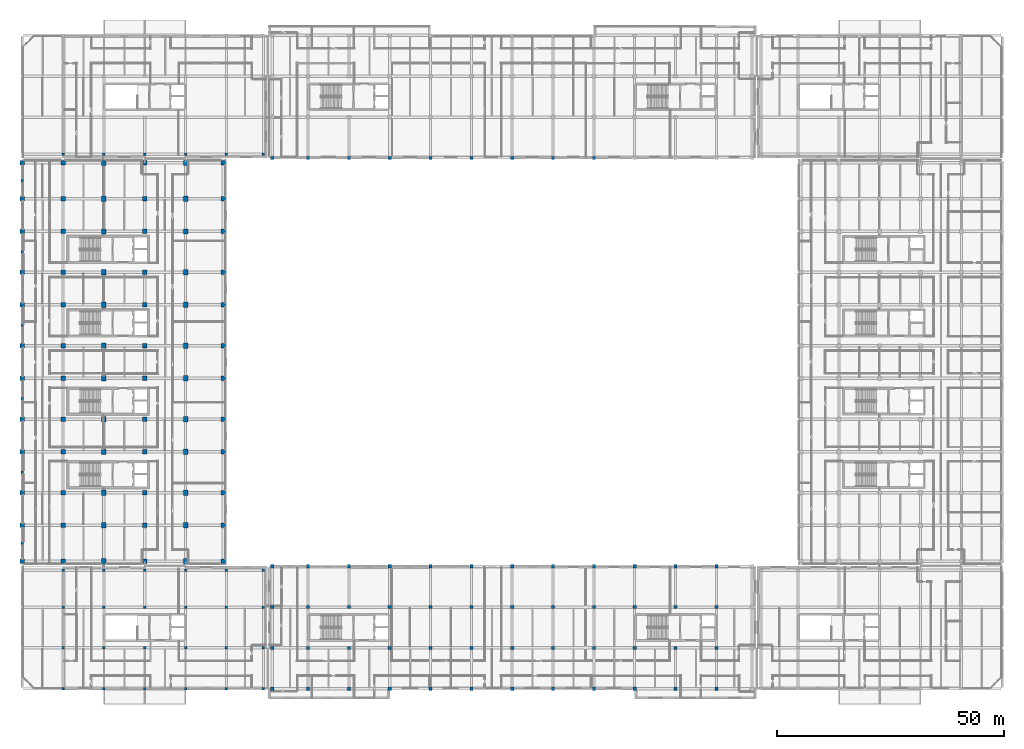
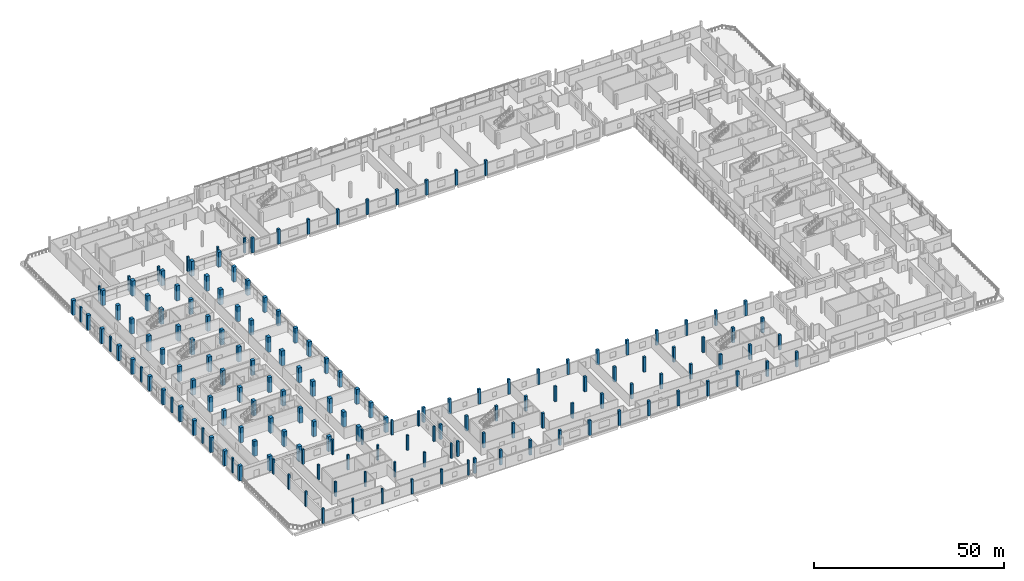
# One storey, part 1 of 111: 165 columns.
"""IFC4 building model written with IfcOpenShell, lengths in metres."""

import ifcopenshell
import ifcopenshell.guid

model = None  # the IFC model being written
_history = None  # IfcOwnerHistory: only IFC2X3 demands one
_inside = {}  # id of a spatial element -> (the spatial element, [elements in it])
_under = {}  # id of a project, library or spatial element -> (it, [spatial elements below it])
_declared = {}  # id of a project -> (the project, [libraries it declares])
_typed = {}  # id of a type object -> (the type object, [elements of that type])
_made_of = {}  # id of a material, layer set ... -> (it, [elements and type objects made of it])


def new_model(schema):
    """Start an empty IFC model of exactly this schema.

    Asked for "IFC4X3", IfcOpenShell would pick the latest addendum, in which some entities
    have other attributes; the version numbers below select the first issue.
    IFC2X3 requires an IfcOwnerHistory on every rooted entity: one is made here for all.
    """
    global model, _history
    if schema == "IFC4X3":
        model = ifcopenshell.file(schema_version=(4, 3, 0, 0))
    else:
        model = ifcopenshell.file(schema=schema)
    _inside.clear()
    _under.clear()
    _declared.clear()
    _typed.clear()
    _made_of.clear()
    _history = None
    if model.schema == "IFC2X3":
        org = make("IfcOrganization", Name="unknown")
        user = make(
            "IfcPersonAndOrganization",
            ThePerson=make("IfcPerson", FamilyName="unknown"),
            TheOrganization=org,
        )
        app = make(
            "IfcApplication",
            ApplicationDeveloper=org,
            Version="unknown",
            ApplicationFullName="unknown",
            ApplicationIdentifier="unknown",
        )
        _history = make(
            "IfcOwnerHistory",
            OwningUser=user,
            OwningApplication=app,
            ChangeAction="ADDED",
            CreationDate=0,
        )
    return model


def make(cls, **values):
    """One entity of the class cls with the attributes given. An attribute that is None is left unset."""
    return model.create_entity(
        cls, **{name: value for name, value in values.items() if value is not None}
    )


def rooted(cls, **values):
    """An entity with a GlobalId (a new one), such as an element, a storey or a relation."""
    return make(cls, GlobalId=ifcopenshell.guid.new(), OwnerHistory=_history, **values)


def si_unit(unit_type, name, prefix=None):
    """IfcSIUnit, for example si_unit("LENGTHUNIT", "METRE", prefix="MILLI")."""
    return make("IfcSIUnit", UnitType=unit_type, Prefix=prefix, Name=name)


def assignment(units):
    """IfcUnitAssignment: the units of a project."""
    return None if units is None else make("IfcUnitAssignment", Units=units)


def point(xyz):
    """IfcCartesianPoint."""
    return None if xyz is None else make("IfcCartesianPoint", Coordinates=xyz)


def direction(xyz):
    """IfcDirection."""
    return None if xyz is None else make("IfcDirection", DirectionRatios=xyz)


def frame(location, z_axis=None, x_axis=None):
    """IfcAxis2Placement3D, a coordinate frame: its origin and axes. An axis left out is left unset."""
    return make(
        "IfcAxis2Placement3D",
        Location=point(location),
        Axis=direction(z_axis),
        RefDirection=direction(x_axis),
    )


def frame_2d(location, x_axis=None):
    """IfcAxis2Placement2D, a coordinate frame in the plane: its origin and x axis."""
    return make(
        "IfcAxis2Placement2D", Location=point(location), RefDirection=direction(x_axis)
    )


def origin():
    """The frame at (0, 0, 0) with its axes left unset."""
    return frame((0.0, 0.0, 0.0))


def origin_2d():
    """The frame at (0, 0) in the plane with its x axis left unset."""
    return frame_2d((0.0, 0.0))


def place(relative_to, where):
    """IfcLocalPlacement: puts the frame where relative to a parent placement (None: the world)."""
    return make(
        "IfcLocalPlacement", PlacementRelTo=relative_to, RelativePlacement=where
    )


def context(
    kind, dimensions, precision=None, world=None, true_north=None, identifier=None
):
    """IfcGeometricRepresentationContext, for example the 3D "Model" context."""
    return make(
        "IfcGeometricRepresentationContext",
        ContextIdentifier=identifier,
        ContextType=kind,
        CoordinateSpaceDimension=dimensions,
        Precision=precision,
        WorldCoordinateSystem=world,
        TrueNorth=true_north,
    )


def subcontext(parent, identifier, kind, view, scale=None):
    """IfcGeometricRepresentationSubContext, for example "Body" below "Model"."""
    return make(
        "IfcGeometricRepresentationSubContext",
        ContextIdentifier=identifier,
        ContextType=kind,
        ParentContext=parent,
        TargetScale=scale,
        TargetView=view,
    )


def project(units=None, contexts=None):
    """IfcProject with its units and contexts."""
    return rooted(
        "IfcProject",
        Name="project",
        RepresentationContexts=contexts,
        UnitsInContext=assignment(units),
    )


def spatial(cls, under=None, at=None, **own):
    """A site, building, storey or space (cls), placed at a placement, below another one or the project."""
    s = rooted(cls, ObjectPlacement=at, **own)
    if under is not None:
        _under.setdefault(under.id(), (under, []))[1].append(s)
    return s


def profile(cls, at=None, kind="AREA", **sizes):
    """A parametric profile (cls). Its sizes go by their IFC names, for example OverallWidth=200.0."""
    return make(cls, ProfileType=kind, Position=at, **sizes)


def rectangle(**sizes):
    """IfcRectangleProfileDef."""
    return profile("IfcRectangleProfileDef", **sizes)


def extrude(swept, where, along, depth):
    """IfcExtrudedAreaSolid: the profile swept, set in the frame where, extruded along a direction by depth."""
    return make(
        "IfcExtrudedAreaSolid",
        SweptArea=swept,
        Position=where,
        ExtrudedDirection=direction(along),
        Depth=depth,
    )


def shape(context_of_items, identifier, shape_type, items):
    """IfcShapeRepresentation: the items that make up one representation, for example the "Body"."""
    return make(
        "IfcShapeRepresentation",
        ContextOfItems=context_of_items,
        RepresentationIdentifier=identifier,
        RepresentationType=shape_type,
        Items=items,
    )


def material(Name=None, Category=None):
    """IfcMaterial."""
    return make("IfcMaterial", Name=Name, Category=Category)


def material_profile(
    of_material, cross_section, Name=None, Category=None, Priority=None
):
    """IfcMaterialProfile: a cross section and its material."""
    return make(
        "IfcMaterialProfile",
        Name=Name,
        Material=of_material,
        Profile=cross_section,
        Priority=Priority,
        Category=Category,
    )


def profile_set(profiles, Name=None, composite=None):
    """IfcMaterialProfileSet."""
    return make(
        "IfcMaterialProfileSet",
        Name=Name,
        MaterialProfiles=profiles,
        CompositeProfile=composite,
    )


def made_of(thing, what):
    """Note that an element or type object is made of a material, layer set ...; save() writes the relation."""
    if what is not None:
        _made_of.setdefault(what.id(), (what, []))[1].append(thing)
    return thing


def type_object(cls, material=None, **own):
    """A type object (cls), such as IfcWallType, which elements share."""
    return made_of(rooted(cls, **own), material)


def element(
    cls,
    number,
    at=None,
    inside=None,
    cuts=None,
    type_object=None,
    material=None,
    context=None,
    identifier="Body",
    shape_type=None,
    held_by="IfcProductDefinitionShape",
    body=None,
    shapes=None,
    **own,
):
    """One element of the class cls, such as IfcWall. Its Tag is "e" and its number.

    at: its placement. inside: the storey or other place that contains it. cuts: it is an
    opening in that element (IfcRelVoidsElement). A single representation is given by context,
    identifier, shape_type and body (its items); several are given by shapes. held_by: the class
    of the entity that holds the representations. save() writes the other relations.
    """
    e = rooted(cls, Tag="e%d" % number, ObjectPlacement=at, **own)
    if body is not None:
        shapes = [shape(context, identifier, shape_type, body)]
    if shapes is not None:
        e.Representation = make(held_by, Representations=shapes)
    if inside is not None:
        _inside.setdefault(inside.id(), (inside, []))[1].append(e)
    if cuts is not None:
        rooted(
            "IfcRelVoidsElement", RelatingBuildingElement=cuts, RelatedOpeningElement=e
        )
    if type_object is not None:
        _typed.setdefault(type_object.id(), (type_object, []))[1].append(e)
    return made_of(e, material)


def aggregate(whole, parts):
    """IfcRelAggregates: a whole, such as a stair, and the parts it consists of."""
    return rooted("IfcRelAggregates", RelatingObject=whole, RelatedObjects=parts)


def save(model, path):
    """Write the relations noted so far, then the file.

    IfcRelAggregates (storeys below a building ...), IfcRelContainedInSpatialStructure (elements
    in a storey), IfcRelDefinesByType, IfcRelAssociatesMaterial and IfcRelDeclares: one each for
    every whole, place, type object, material and project.
    """
    for whole, parts in _under.values():
        aggregate(whole, parts)
    for where, things in _inside.values():
        rooted(
            "IfcRelContainedInSpatialStructure",
            RelatedElements=things,
            RelatingStructure=where,
        )
    for kind, things in _typed.values():
        rooted("IfcRelDefinesByType", RelatedObjects=things, RelatingType=kind)
    for what, things in _made_of.values():
        rooted("IfcRelAssociatesMaterial", RelatedObjects=things, RelatingMaterial=what)
    for by, libraries in _declared.values():
        rooted("IfcRelDeclares", RelatingContext=by, RelatedDefinitions=libraries)
    model.write(path)


model = new_model("IFC4")

# Units and contexts
model_context = context("Model", 3, precision=1e-05, world=origin(), true_north=direction((0.0, 1.0)))
body_context = subcontext(model_context, "Body", "Model", "MODEL_VIEW")
ifc_project = project(units=[si_unit("LENGTHUNIT", "METRE"), si_unit("AREAUNIT", "SQUARE_METRE"), si_unit("VOLUMEUNIT", "CUBIC_METRE"), si_unit("PLANEANGLEUNIT", "RADIAN"), si_unit("MASSUNIT", "GRAM", prefix="KILO"), si_unit("THERMODYNAMICTEMPERATUREUNIT", "KELVIN"), si_unit("POWERUNIT", "WATT")], contexts=[model_context])

# Site, building, storey
site_placement = place(None, origin())
site = spatial("IfcSite", under=ifc_project, at=site_placement, CompositionType="ELEMENT")
building_placement = place(site_placement, origin())
building = spatial("IfcBuilding", under=site, at=building_placement, Name="Sindhuravela Promenade Stadium", CompositionType="ELEMENT")
storey_placement = place(building_placement, frame((0.0, 0.0, 9.60009765625)))
storey = spatial("IfcBuildingStorey", under=building, at=storey_placement, Name="L02", CompositionType="ELEMENT", Elevation=9.60009765625)

# Columns
ifc_material_1 = material(Name="Concrete M50", Category="concrete")
ifc_material_profile_1 = material_profile(ifc_material_1, rectangle(XDim=1.0, YDim=1.0, at=origin_2d()), Name="RC 1000x1000")
ifc_profile_set_1 = profile_set([ifc_material_profile_1], Name="Concrete M50")
column_type_1 = type_object("IfcColumnType", Name="RC-CL-1000x1000", PredefinedType="COLUMN", material=ifc_profile_set_1)
for number, where, z_axis, x_axis, name in (
    (1, (0.0, 37.10009765625, 0.0), (0.0, 0.0, 1.0), (1.0, 0.0, 0.0), "Column C06 WEST L02"),
    (2, (0.0, 45.0, 0.0), (0.0, 0.0, 1.0), (1.0, 0.0, 0.0), "Column C06 WEST L02"),
    (3, (0.0, 52.199951171875, 0.0), (0.0, 0.0, 1.0), (1.0, 0.0, 0.0), "Column C06 WEST L02"),
    (4, (0.0, 61.199951171875, 0.0), (0.0, 0.0, 1.0), (1.0, 0.0, 0.0), "Column C06 WEST L02"),
    (5, (0.0, 68.39990234375, 0.0), (0.0, 0.0, 1.0), (1.0, 0.0, 0.0), "Column C06 WEST L02"),
    (6, (0.0, 77.39990234375, 0.0), (0.0, 0.0, 1.0), (1.0, 0.0, 0.0), "Column C06 WEST L02"),
    (7, (0.0, 84.60009765625, 0.0), (0.0, 0.0, 1.0), (1.0, 0.0, 0.0), "Column C06 WEST L02"),
    (8, (0.0, 93.60009765625, 0.0), (0.0, 0.0, 1.0), (1.0, 0.0, 0.0), "Column C06 WEST L02"),
    (9, (0.0, 100.800048828125, 0.0), (0.0, 0.0, 1.0), (1.0, 0.0, 0.0), "Column C06 WEST L02"),
    (10, (0.0, 109.800048828125, 0.0), (0.0, 0.0, 1.0), (1.0, 0.0, 0.0), "Column C06 WEST L02"),
    (11, (0.0, 117.0, 0.0), (0.0, 0.0, 1.0), (1.0, 0.0, 0.0), "Column C06 WEST L02"),
    (12, (0.0, 124.89990234375, 0.0), (0.0, 0.0, 1.0), (1.0, 0.0, 0.0), "Column C06 WEST L02"),
    (13, (9.0, 37.10009765625, 0.0), (0.0, 0.0, 1.0), (1.0, 0.0, 0.0), "Column C06 WEST L02"),
    (14, (9.0, 45.0, 0.0), (0.0, 0.0, 1.0), (1.0, 0.0, 0.0), "Column C06 WEST L02"),
    (15, (9.0, 52.199951171875, 0.0), (0.0, 0.0, 1.0), (1.0, 0.0, 0.0), "Column C06 WEST L02"),
    (16, (9.0, 61.199951171875, 0.0), (0.0, 0.0, 1.0), (1.0, 0.0, 0.0), "Column C06 WEST L02"),
    (17, (9.0, 68.39990234375, 0.0), (0.0, 0.0, 1.0), (1.0, 0.0, 0.0), "Column C06 WEST L02"),
    (18, (9.0, 77.39990234375, 0.0), (0.0, 0.0, 1.0), (1.0, 0.0, 0.0), "Column C06 WEST L02"),
    (19, (9.0, 84.60009765625, 0.0), (0.0, 0.0, 1.0), (1.0, 0.0, 0.0), "Column C06 WEST L02"),
    (20, (9.0, 93.60009765625, 0.0), (0.0, 0.0, 1.0), (1.0, 0.0, 0.0), "Column C06 WEST L02"),
    (21, (9.0, 100.800048828125, 0.0), (0.0, 0.0, 1.0), (1.0, 0.0, 0.0), "Column C06 WEST L02"),
    (22, (9.0, 109.800048828125, 0.0), (0.0, 0.0, 1.0), (1.0, 0.0, 0.0), "Column C06 WEST L02"),
    (23, (9.0, 117.0, 0.0), (0.0, 0.0, 1.0), (1.0, 0.0, 0.0), "Column C06 WEST L02"),
    (24, (9.0, 124.89990234375, 0.0), (0.0, 0.0, 1.0), (1.0, 0.0, 0.0), "Column C06 WEST L02"),
    (25, (27.0, 37.10009765625, 0.0), (0.0, 0.0, 1.0), (1.0, 0.0, 0.0), "Column C06 WEST L02"),
    (26, (27.0, 45.0, 0.0), (0.0, 0.0, 1.0), (1.0, 0.0, 0.0), "Column C06 WEST L02"),
    (27, (27.0, 52.199951171875, 0.0), (0.0, 0.0, 1.0), (1.0, 0.0, 0.0), "Column C06 WEST L02"),
    (28, (27.0, 61.199951171875, 0.0), (0.0, 0.0, 1.0), (1.0, 0.0, 0.0), "Column C06 WEST L02"),
    (29, (27.0, 68.39990234375, 0.0), (0.0, 0.0, 1.0), (1.0, 0.0, 0.0), "Column C06 WEST L02"),
    (30, (27.0, 77.39990234375, 0.0), (0.0, 0.0, 1.0), (1.0, 0.0, 0.0), "Column C06 WEST L02"),
    (31, (27.0, 84.60009765625, 0.0), (0.0, 0.0, 1.0), (1.0, 0.0, 0.0), "Column C06 WEST L02"),
    (32, (27.0, 93.60009765625, 0.0), (0.0, 0.0, 1.0), (1.0, 0.0, 0.0), "Column C06 WEST L02"),
    (33, (27.0, 100.800048828125, 0.0), (0.0, 0.0, 1.0), (1.0, 0.0, 0.0), "Column C06 WEST L02"),
    (34, (27.0, 109.800048828125, 0.0), (0.0, 0.0, 1.0), (1.0, 0.0, 0.0), "Column C06 WEST L02"),
    (35, (27.0, 117.0, 0.0), (0.0, 0.0, 1.0), (1.0, 0.0, 0.0), "Column C06 WEST L02"),
    (36, (27.0, 124.89990234375, 0.0), (0.0, 0.0, 1.0), (1.0, 0.0, 0.0), "Column C06 WEST L02"),
    (37, (44.300048828125, 37.10009765625, 0.0), (0.0, 0.0, 1.0), (1.0, 0.0, 0.0), "Column C06 WEST L02"),
    (38, (44.300048828125, 45.0, 0.0), (0.0, 0.0, 1.0), (1.0, 0.0, 0.0), "Column C06 WEST L02"),
    (39, (44.300048828125, 52.199951171875, 0.0), (0.0, 0.0, 1.0), (1.0, 0.0, 0.0), "Column C06 WEST L02"),
    (40, (44.300048828125, 61.199951171875, 0.0), (0.0, 0.0, 1.0), (1.0, 0.0, 0.0), "Column C06 WEST L02"),
    (41, (44.300048828125, 68.39990234375, 0.0), (0.0, 0.0, 1.0), (1.0, 0.0, 0.0), "Column C06 WEST L02"),
    (42, (44.300048828125, 77.39990234375, 0.0), (0.0, 0.0, 1.0), (1.0, 0.0, 0.0), "Column C06 WEST L02"),
    (43, (44.300048828125, 84.60009765625, 0.0), (0.0, 0.0, 1.0), (1.0, 0.0, 0.0), "Column C06 WEST L02"),
    (44, (44.300048828125, 93.60009765625, 0.0), (0.0, 0.0, 1.0), (1.0, 0.0, 0.0), "Column C06 WEST L02"),
    (45, (44.300048828125, 100.800048828125, 0.0), (0.0, 0.0, 1.0), (1.0, 0.0, 0.0), "Column C06 WEST L02"),
    (46, (44.300048828125, 109.800048828125, 0.0), (0.0, 0.0, 1.0), (1.0, 0.0, 0.0), "Column C06 WEST L02"),
    (47, (44.300048828125, 117.0, 0.0), (0.0, 0.0, 1.0), (1.0, 0.0, 0.0), "Column C06 WEST L02"),
    (48, (44.300048828125, 124.89990234375, 0.0), (0.0, 0.0, 1.0), (1.0, 0.0, 0.0), "Column C06 WEST L02"),
):
    element("IfcColumn", number, at=place(storey_placement, frame(where, z_axis=z_axis, x_axis=x_axis)), inside=storey, type_object=column_type_1, Name=name, PredefinedType="COLUMN", context=body_context, shape_type="SweptSolid", body=[
        extrude(rectangle(XDim=1.0, YDim=1.0, at=origin_2d()), origin(), (0.0, 0.0, 1.0), 4.7998046875),
    ])
ifc_material_profile_2 = material_profile(ifc_material_1, rectangle(XDim=1.0, YDim=1.199951171875, at=origin_2d()), Name="RC 1000x1200")
ifc_profile_set_2 = profile_set([ifc_material_profile_2], Name="Concrete M50")
column_type_2 = type_object("IfcColumnType", Name="RC-CL-1000x1200", PredefinedType="COLUMN", material=ifc_profile_set_2)
for number, where, z_axis, x_axis, name in (
    (49, (18.0, 37.10009765625, 0.0), (0.0, 0.0, 1.0), (1.0, 0.0, 0.0), "Column C05 WEST L02"),
    (50, (18.0, 45.0, 0.0), (0.0, 0.0, 1.0), (1.0, 0.0, 0.0), "Column C05 WEST L02"),
    (51, (18.0, 52.199951171875, 0.0), (0.0, 0.0, 1.0), (1.0, 0.0, 0.0), "Column C05 WEST L02"),
    (52, (18.0, 61.199951171875, 0.0), (0.0, 0.0, 1.0), (1.0, 0.0, 0.0), "Column C05 WEST L02"),
    (53, (18.0, 68.39990234375, 0.0), (0.0, 0.0, 1.0), (1.0, 0.0, 0.0), "Column C05 WEST L02"),
    (54, (18.0, 77.39990234375, 0.0), (0.0, 0.0, 1.0), (1.0, 0.0, 0.0), "Column C05 WEST L02"),
    (55, (18.0, 84.60009765625, 0.0), (0.0, 0.0, 1.0), (1.0, 0.0, 0.0), "Column C05 WEST L02"),
    (56, (18.0, 93.60009765625, 0.0), (0.0, 0.0, 1.0), (1.0, 0.0, 0.0), "Column C05 WEST L02"),
    (57, (18.0, 100.800048828125, 0.0), (0.0, 0.0, 1.0), (1.0, 0.0, 0.0), "Column C05 WEST L02"),
    (58, (18.0, 109.800048828125, 0.0), (0.0, 0.0, 1.0), (1.0, 0.0, 0.0), "Column C05 WEST L02"),
    (59, (18.0, 117.0, 0.0), (0.0, 0.0, 1.0), (1.0, 0.0, 0.0), "Column C05 WEST L02"),
    (60, (18.0, 124.89990234375, 0.0), (0.0, 0.0, 1.0), (1.0, 0.0, 0.0), "Column C05 WEST L02"),
    (61, (36.0, 37.10009765625, 0.0), (0.0, 0.0, 1.0), (1.0, 0.0, 0.0), "Column C05 WEST L02"),
    (62, (36.0, 45.0, 0.0), (0.0, 0.0, 1.0), (1.0, 0.0, 0.0), "Column C05 WEST L02"),
    (63, (36.0, 52.199951171875, 0.0), (0.0, 0.0, 1.0), (1.0, 0.0, 0.0), "Column C05 WEST L02"),
    (64, (36.0, 61.199951171875, 0.0), (0.0, 0.0, 1.0), (1.0, 0.0, 0.0), "Column C05 WEST L02"),
    (65, (36.0, 68.39990234375, 0.0), (0.0, 0.0, 1.0), (1.0, 0.0, 0.0), "Column C05 WEST L02"),
    (66, (36.0, 77.39990234375, 0.0), (0.0, 0.0, 1.0), (1.0, 0.0, 0.0), "Column C05 WEST L02"),
    (67, (36.0, 84.60009765625, 0.0), (0.0, 0.0, 1.0), (1.0, 0.0, 0.0), "Column C05 WEST L02"),
    (68, (36.0, 93.60009765625, 0.0), (0.0, 0.0, 1.0), (1.0, 0.0, 0.0), "Column C05 WEST L02"),
    (69, (36.0, 100.800048828125, 0.0), (0.0, 0.0, 1.0), (1.0, 0.0, 0.0), "Column C05 WEST L02"),
    (70, (36.0, 109.800048828125, 0.0), (0.0, 0.0, 1.0), (1.0, 0.0, 0.0), "Column C05 WEST L02"),
    (71, (36.0, 117.0, 0.0), (0.0, 0.0, 1.0), (1.0, 0.0, 0.0), "Column C05 WEST L02"),
    (72, (36.0, 124.89990234375, 0.0), (0.0, 0.0, 1.0), (1.0, 0.0, 0.0), "Column C05 WEST L02"),
):
    element("IfcColumn", number, at=place(storey_placement, frame(where, z_axis=z_axis, x_axis=x_axis)), inside=storey, type_object=column_type_2, Name=name, PredefinedType="COLUMN", context=body_context, shape_type="SweptSolid", body=[
        extrude(rectangle(XDim=1.0, YDim=1.199951171875, at=origin_2d()), origin(), (0.0, 0.0, 1.0), 4.7998046875),
    ])
ifc_material_2 = material(Name="Concrete M40", Category="concrete")
ifc_material_profile_3 = material_profile(ifc_material_2, rectangle(XDim=0.550048828125, YDim=0.550048828125, at=origin_2d()), Name="RC 550x550")
ifc_profile_set_3 = profile_set([ifc_material_profile_3], Name="Concrete M40")
column_type_3 = type_object("IfcColumnType", Name="RC-CL-550x550", PredefinedType="COLUMN", material=ifc_profile_set_3)
for number, where, z_axis, x_axis, name in (
    (73, (9.0, 9.0, 0.0), (0.0, 0.0, 1.0), (1.0, 0.0, 0.0), "Column C18 Pavilion SW L02"),
    (74, (9.0, 18.0, 0.0), (0.0, 0.0, 1.0), (1.0, 0.0, 0.0), "Column C18 Pavilion SW L02"),
    (75, (9.0, 27.0, 0.0), (0.0, 0.0, 1.0), (1.0, 0.0, 0.0), "Column C18 Pavilion SW L02"),
    (76, (9.0, 35.14990234375, 0.0), (0.0, 0.0, 1.0), (1.0, 0.0, 0.0), "Column C18 Pavilion SW L02"),
    (77, (18.0, 9.0, 0.0), (0.0, 0.0, 1.0), (1.0, 0.0, 0.0), "Column C18 Pavilion SW L02"),
    (78, (18.0, 18.0, 0.0), (0.0, 0.0, 1.0), (1.0, 0.0, 0.0), "Column C18 Pavilion SW L02"),
    (79, (18.0, 27.0, 0.0), (0.0, 0.0, 1.0), (1.0, 0.0, 0.0), "Column C18 Pavilion SW L02"),
    (80, (18.0, 35.14990234375, 0.0), (0.0, 0.0, 1.0), (1.0, 0.0, 0.0), "Column C18 Pavilion SW L02"),
    (81, (27.0, 9.0, 0.0), (0.0, 0.0, 1.0), (1.0, 0.0, 0.0), "Column C18 Pavilion SW L02"),
    (82, (27.0, 18.0, 0.0), (0.0, 0.0, 1.0), (1.0, 0.0, 0.0), "Column C18 Pavilion SW L02"),
    (83, (27.0, 27.0, 0.0), (0.0, 0.0, 1.0), (1.0, 0.0, 0.0), "Column C18 Pavilion SW L02"),
    (84, (27.0, 35.14990234375, 0.0), (0.0, 0.0, 1.0), (1.0, 0.0, 0.0), "Column C18 Pavilion SW L02"),
    (85, (36.0, 9.0, 0.0), (0.0, 0.0, 1.0), (1.0, 0.0, 0.0), "Column C18 Pavilion SW L02"),
    (86, (36.0, 18.0, 0.0), (0.0, 0.0, 1.0), (1.0, 0.0, 0.0), "Column C18 Pavilion SW L02"),
    (87, (36.0, 27.0, 0.0), (0.0, 0.0, 1.0), (1.0, 0.0, 0.0), "Column C18 Pavilion SW L02"),
    (88, (36.0, 35.14990234375, 0.0), (0.0, 0.0, 1.0), (1.0, 0.0, 0.0), "Column C18 Pavilion SW L02"),
    (89, (45.0, 9.0, 0.0), (0.0, 0.0, 1.0), (1.0, 0.0, 0.0), "Column C18 Pavilion SW L02"),
    (90, (45.0, 18.0, 0.0), (0.0, 0.0, 1.0), (1.0, 0.0, 0.0), "Column C18 Pavilion SW L02"),
    (91, (45.0, 27.0, 0.0), (0.0, 0.0, 1.0), (1.0, 0.0, 0.0), "Column C18 Pavilion SW L02"),
    (92, (45.0, 35.14990234375, 0.0), (0.0, 0.0, 1.0), (1.0, 0.0, 0.0), "Column C18 Pavilion SW L02"),
    (93, (53.14990234375, 9.0, 0.0), (0.0, 0.0, 1.0), (1.0, 0.0, 0.0), "Column C18 Pavilion SW L02"),
    (94, (53.14990234375, 18.0, 0.0), (0.0, 0.0, 1.0), (1.0, 0.0, 0.0), "Column C18 Pavilion SW L02"),
    (95, (53.14990234375, 27.0, 0.0), (0.0, 0.0, 1.0), (1.0, 0.0, 0.0), "Column C18 Pavilion SW L02"),
    (96, (53.14990234375, 35.14990234375, 0.0), (0.0, 0.0, 1.0), (1.0, 0.0, 0.0), "Column C18 Pavilion SW L02"),
    (97, (9.0, 126.85009765625, 0.0), (0.0, 0.0, 1.0), (1.0, 0.0, 0.0), "Column C18 Pavilion NW L02"),
    (98, (18.0, 126.85009765625, 0.0), (0.0, 0.0, 1.0), (1.0, 0.0, 0.0), "Column C18 Pavilion NW L02"),
    (99, (27.0, 126.85009765625, 0.0), (0.0, 0.0, 1.0), (1.0, 0.0, 0.0), "Column C18 Pavilion NW L02"),
    (100, (36.0, 126.85009765625, 0.0), (0.0, 0.0, 1.0), (1.0, 0.0, 0.0), "Column C18 Pavilion NW L02"),
    (101, (45.0, 126.85009765625, 0.0), (0.0, 0.0, 1.0), (1.0, 0.0, 0.0), "Column C18 Pavilion NW L02"),
    (102, (53.14990234375, 126.85009765625, 0.0), (0.0, 0.0, 1.0), (1.0, 0.0, 0.0), "Column C18 Pavilion NW L02"),
):
    element("IfcColumn", number, at=place(storey_placement, frame(where, z_axis=z_axis, x_axis=x_axis)), inside=storey, type_object=column_type_3, Name=name, PredefinedType="COLUMN", context=body_context, shape_type="SweptSolid", body=[
        extrude(rectangle(XDim=0.550048828125, YDim=0.550048828125, at=origin_2d()), origin(), (0.0, 0.0, 1.0), 4.7998046875),
    ])
ifc_material_profile_4 = material_profile(ifc_material_2, rectangle(XDim=0.699951171875, YDim=0.699951171875, at=origin_2d()), Name="RC 700x700")
ifc_profile_set_4 = profile_set([ifc_material_profile_4], Name="Concrete M40")
column_type_4 = type_object("IfcColumnType", Name="RC-CL-700x700", PredefinedType="COLUMN", material=ifc_profile_set_4)
for number, where, z_axis, x_axis, name in (
    (103, (55.10009765625, 126.0, 0.0), (0.0, 0.0, 1.0), (1.0, 0.0, 0.0), "Column C14 NORTH L02"),
    (104, (63.0, 126.0, 0.0), (0.0, 0.0, 1.0), (1.0, 0.0, 0.0), "Column C14 NORTH L02"),
    (105, (72.0, 126.0, 0.0), (0.0, 0.0, 1.0), (1.0, 0.0, 0.0), "Column C14 NORTH L02"),
    (106, (81.0, 126.0, 0.0), (0.0, 0.0, 1.0), (1.0, 0.0, 0.0), "Column C14 NORTH L02"),
    (107, (90.0, 126.0, 0.0), (0.0, 0.0, 1.0), (1.0, 0.0, 0.0), "Column C14 NORTH L02"),
    (108, (99.0, 126.0, 0.0), (0.0, 0.0, 1.0), (1.0, 0.0, 0.0), "Column C14 NORTH L02"),
    (109, (108.0, 126.0, 0.0), (0.0, 0.0, 1.0), (1.0, 0.0, 0.0), "Column C14 NORTH L02"),
    (110, (117.0, 126.0, 0.0), (0.0, 0.0, 1.0), (1.0, 0.0, 0.0), "Column C14 NORTH L02"),
    (111, (126.0, 126.0, 0.0), (0.0, 0.0, 1.0), (1.0, 0.0, 0.0), "Column C14 NORTH L02"),
    (112, (55.10009765625, 9.0, 0.0), (0.0, 0.0, 1.0), (1.0, 0.0, 0.0), "Column C14 SOUTH L02"),
    (113, (55.10009765625, 18.0, 0.0), (0.0, 0.0, 1.0), (1.0, 0.0, 0.0), "Column C14 SOUTH L02"),
    (114, (55.10009765625, 27.0, 0.0), (0.0, 0.0, 1.0), (1.0, 0.0, 0.0), "Column C14 SOUTH L02"),
    (115, (55.10009765625, 36.0, 0.0), (0.0, 0.0, 1.0), (1.0, 0.0, 0.0), "Column C14 SOUTH L02"),
    (116, (63.0, 9.0, 0.0), (0.0, 0.0, 1.0), (1.0, 0.0, 0.0), "Column C14 SOUTH L02"),
    (117, (63.0, 18.0, 0.0), (0.0, 0.0, 1.0), (1.0, 0.0, 0.0), "Column C14 SOUTH L02"),
    (118, (63.0, 27.0, 0.0), (0.0, 0.0, 1.0), (1.0, 0.0, 0.0), "Column C14 SOUTH L02"),
    (119, (63.0, 36.0, 0.0), (0.0, 0.0, 1.0), (1.0, 0.0, 0.0), "Column C14 SOUTH L02"),
    (120, (72.0, 9.0, 0.0), (0.0, 0.0, 1.0), (1.0, 0.0, 0.0), "Column C14 SOUTH L02"),
    (121, (72.0, 18.0, 0.0), (0.0, 0.0, 1.0), (1.0, 0.0, 0.0), "Column C14 SOUTH L02"),
    (122, (72.0, 27.0, 0.0), (0.0, 0.0, 1.0), (1.0, 0.0, 0.0), "Column C14 SOUTH L02"),
    (123, (72.0, 36.0, 0.0), (0.0, 0.0, 1.0), (1.0, 0.0, 0.0), "Column C14 SOUTH L02"),
    (124, (81.0, 9.0, 0.0), (0.0, 0.0, 1.0), (1.0, 0.0, 0.0), "Column C14 SOUTH L02"),
    (125, (81.0, 18.0, 0.0), (0.0, 0.0, 1.0), (1.0, 0.0, 0.0), "Column C14 SOUTH L02"),
    (126, (81.0, 27.0, 0.0), (0.0, 0.0, 1.0), (1.0, 0.0, 0.0), "Column C14 SOUTH L02"),
    (127, (81.0, 36.0, 0.0), (0.0, 0.0, 1.0), (1.0, 0.0, 0.0), "Column C14 SOUTH L02"),
    (128, (90.0, 9.0, 0.0), (0.0, 0.0, 1.0), (1.0, 0.0, 0.0), "Column C14 SOUTH L02"),
    (129, (90.0, 18.0, 0.0), (0.0, 0.0, 1.0), (1.0, 0.0, 0.0), "Column C14 SOUTH L02"),
    (130, (90.0, 27.0, 0.0), (0.0, 0.0, 1.0), (1.0, 0.0, 0.0), "Column C14 SOUTH L02"),
    (131, (90.0, 36.0, 0.0), (0.0, 0.0, 1.0), (1.0, 0.0, 0.0), "Column C14 SOUTH L02"),
    (132, (99.0, 9.0, 0.0), (0.0, 0.0, 1.0), (1.0, 0.0, 0.0), "Column C14 SOUTH L02"),
    (133, (99.0, 18.0, 0.0), (0.0, 0.0, 1.0), (1.0, 0.0, 0.0), "Column C14 SOUTH L02"),
    (134, (99.0, 27.0, 0.0), (0.0, 0.0, 1.0), (1.0, 0.0, 0.0), "Column C14 SOUTH L02"),
    (135, (99.0, 36.0, 0.0), (0.0, 0.0, 1.0), (1.0, 0.0, 0.0), "Column C14 SOUTH L02"),
    (136, (108.0, 9.0, 0.0), (0.0, 0.0, 1.0), (1.0, 0.0, 0.0), "Column C14 SOUTH L02"),
    (137, (108.0, 18.0, 0.0), (0.0, 0.0, 1.0), (1.0, 0.0, 0.0), "Column C14 SOUTH L02"),
    (138, (108.0, 27.0, 0.0), (0.0, 0.0, 1.0), (1.0, 0.0, 0.0), "Column C14 SOUTH L02"),
    (139, (108.0, 36.0, 0.0), (0.0, 0.0, 1.0), (1.0, 0.0, 0.0), "Column C14 SOUTH L02"),
    (140, (117.0, 9.0, 0.0), (0.0, 0.0, 1.0), (1.0, 0.0, 0.0), "Column C14 SOUTH L02"),
    (141, (117.0, 18.0, 0.0), (0.0, 0.0, 1.0), (1.0, 0.0, 0.0), "Column C14 SOUTH L02"),
    (142, (117.0, 27.0, 0.0), (0.0, 0.0, 1.0), (1.0, 0.0, 0.0), "Column C14 SOUTH L02"),
    (143, (117.0, 36.0, 0.0), (0.0, 0.0, 1.0), (1.0, 0.0, 0.0), "Column C14 SOUTH L02"),
    (144, (126.0, 9.0, 0.0), (0.0, 0.0, 1.0), (1.0, 0.0, 0.0), "Column C14 SOUTH L02"),
    (145, (126.0, 18.0, 0.0), (0.0, 0.0, 1.0), (1.0, 0.0, 0.0), "Column C14 SOUTH L02"),
    (146, (126.0, 27.0, 0.0), (0.0, 0.0, 1.0), (1.0, 0.0, 0.0), "Column C14 SOUTH L02"),
    (147, (126.0, 36.0, 0.0), (0.0, 0.0, 1.0), (1.0, 0.0, 0.0), "Column C14 SOUTH L02"),
    (148, (135.0, 9.0, 0.0), (0.0, 0.0, 1.0), (1.0, 0.0, 0.0), "Column C14 SOUTH L02"),
    (149, (135.0, 18.0, 0.0), (0.0, 0.0, 1.0), (1.0, 0.0, 0.0), "Column C14 SOUTH L02"),
    (150, (135.0, 27.0, 0.0), (0.0, 0.0, 1.0), (1.0, 0.0, 0.0), "Column C14 SOUTH L02"),
    (151, (135.0, 36.0, 0.0), (0.0, 0.0, 1.0), (1.0, 0.0, 0.0), "Column C14 SOUTH L02"),
    (152, (144.0, 9.0, 0.0), (0.0, 0.0, 1.0), (1.0, 0.0, 0.0), "Column C14 SOUTH L02"),
    (153, (144.0, 18.0, 0.0), (0.0, 0.0, 1.0), (1.0, 0.0, 0.0), "Column C14 SOUTH L02"),
    (154, (144.0, 27.0, 0.0), (0.0, 0.0, 1.0), (1.0, 0.0, 0.0), "Column C14 SOUTH L02"),
    (155, (144.0, 36.0, 0.0), (0.0, 0.0, 1.0), (1.0, 0.0, 0.0), "Column C14 SOUTH L02"),
    (156, (153.0, 9.0, 0.0), (0.0, 0.0, 1.0), (1.0, 0.0, 0.0), "Column C14 SOUTH L02"),
    (157, (153.0, 18.0, 0.0), (0.0, 0.0, 1.0), (1.0, 0.0, 0.0), "Column C14 SOUTH L02"),
    (158, (153.0, 27.0, 0.0), (0.0, 0.0, 1.0), (1.0, 0.0, 0.0), "Column C14 SOUTH L02"),
    (159, (153.0, 36.0, 0.0), (0.0, 0.0, 1.0), (1.0, 0.0, 0.0), "Column C14 SOUTH L02"),
):
    element("IfcColumn", number, at=place(storey_placement, frame(where, z_axis=z_axis, x_axis=x_axis)), inside=storey, type_object=column_type_4, Name=name, PredefinedType="COLUMN", context=body_context, shape_type="SweptSolid", body=[
        extrude(rectangle(XDim=0.699951171875, YDim=0.699951171875, at=origin_2d()), origin(), (0.0, 0.0, 1.0), 4.7998046875),
    ])
ifc_material_profile_5 = material_profile(ifc_material_2, rectangle(XDim=0.5, YDim=0.699951171875, at=origin_2d()), Name="PIL 500x700")
ifc_profile_set_5 = profile_set([ifc_material_profile_5], Name="Concrete M40")
column_type_5 = type_object("IfcColumnType", Name="RC-PL-500x700", PredefinedType="PILASTER", material=ifc_profile_set_5)
for number, where, z_axis, x_axis, name in (
    (160, (0.0, 41.0, 0.0), (0.0, 0.0, 1.0), (1.0, 0.0, 0.0), "Fluted pilaster PL1 WEST L02"),
    (161, (0.0, 56.699951171875, 0.0), (0.0, 0.0, 1.0), (1.0, 0.0, 0.0), "Fluted pilaster PL1 WEST L02"),
    (162, (0.0, 72.89990234375, 0.0), (0.0, 0.0, 1.0), (1.0, 0.0, 0.0), "Fluted pilaster PL1 WEST L02"),
    (163, (0.0, 89.10009765625, 0.0), (0.0, 0.0, 1.0), (1.0, 0.0, 0.0), "Fluted pilaster PL1 WEST L02"),
    (164, (0.0, 105.300048828125, 0.0), (0.0, 0.0, 1.0), (1.0, 0.0, 0.0), "Fluted pilaster PL1 WEST L02"),
    (165, (0.0, 121.0, 0.0), (0.0, 0.0, 1.0), (1.0, 0.0, 0.0), "Fluted pilaster PL1 WEST L02"),
):
    element("IfcColumn", number, at=place(storey_placement, frame(where, z_axis=z_axis, x_axis=x_axis)), inside=storey, type_object=column_type_5, Name=name, PredefinedType="PILASTER", context=body_context, shape_type="SweptSolid", body=[
        extrude(rectangle(XDim=0.5, YDim=0.699951171875, at=origin_2d()), origin(), (0.0, 0.0, 1.0), 4.7998046875),
    ])

save(model, "model.ifc")
